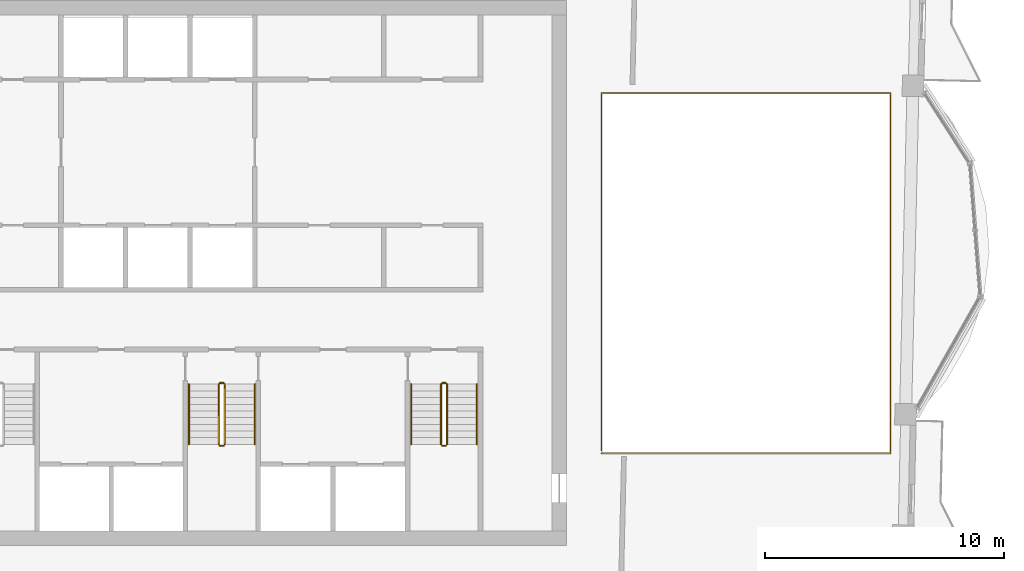
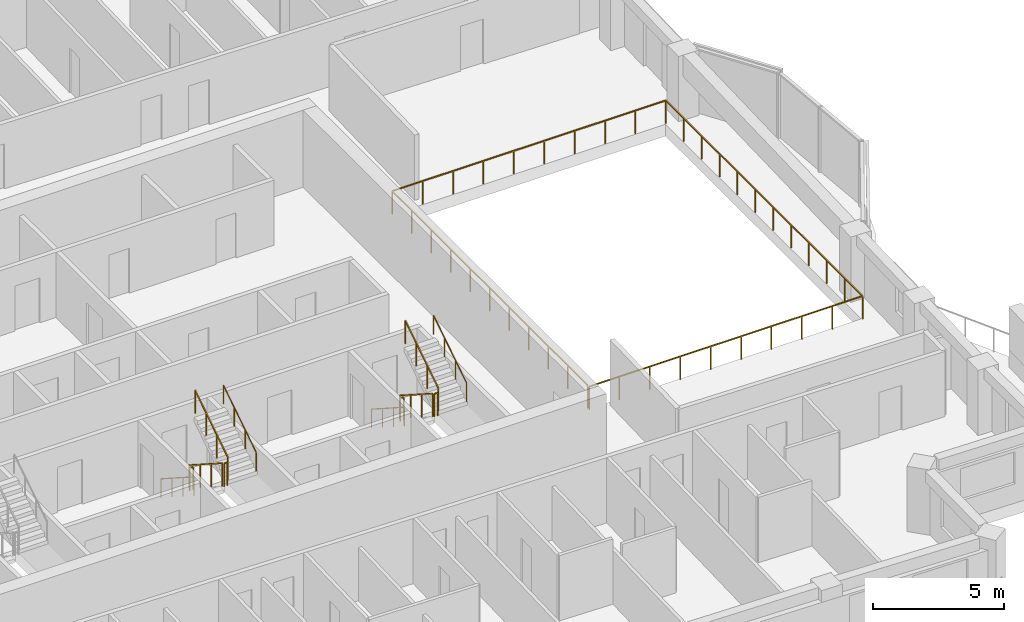
# One storey, part 14 of 15: 13 railings.
"""IFC4 building model written with IfcOpenShell, lengths in metres."""

from ifc_helpers import new_model, si_unit, direction, frame, origin, origin_2d, place, context, subcontext, project, spatial, rectangle, circle, extrude, material, type_object, element, save


model = new_model("IFC4")

# Units and contexts
model_context = context("Model", 3, precision=1e-05, world=origin(), true_north=direction((0.0, 1.0)))
body_context = subcontext(model_context, "Body", "Model", "MODEL_VIEW")
ifc_project = project(units=[si_unit("LENGTHUNIT", "METRE"), si_unit("AREAUNIT", "SQUARE_METRE"), si_unit("VOLUMEUNIT", "CUBIC_METRE"), si_unit("PLANEANGLEUNIT", "RADIAN"), si_unit("MASSUNIT", "GRAM", prefix="KILO")], contexts=[model_context])

# Site, building, storey
site_placement = place(None, origin())
site = spatial("IfcSite", under=ifc_project, at=site_placement, CompositionType="ELEMENT")
building_placement = place(site_placement, origin())
building = spatial("IfcBuilding", under=site, at=building_placement, Name="Mangrove Gate Tower", CompositionType="ELEMENT")
storey_placement = place(building_placement, frame((0.0, 0.0, 313.300048828125)))
storey = spatial("IfcBuildingStorey", under=building, at=storey_placement, Name="L80", CompositionType="ELEMENT", Elevation=313.300048828125)

# Railings
ifc_material_1 = material(Name="Stainless steel grade 316 with laminated glass infill", Category="steel")
railing_type_1 = type_object("IfcRailingType", Name="Balcony guard 1100", PredefinedType="GUARDRAIL", material=ifc_material_1)
railing_1_placement = place(storey_placement, frame((15.860107421875, -7.5400390625, 0.0)))
element("IfcRailing", 1, at=railing_1_placement, inside=storey, type_object=railing_type_1, Name="GUARD L80 atrium", PredefinedType="GUARDRAIL", context=body_context, shape_type="SweptSolid", body=[
    extrude(rectangle(XDim=0.048095703125, YDim=0.048095703125, at=origin_2d()), frame((0.0, 0.0, 1.076171875), z_axis=(1.0, 0.0, 0.0), x_axis=(0.0, 1.0, 0.0)), (0.0, 0.0, 1.0), 12.101806640625),
    extrude(rectangle(XDim=0.048095703125, YDim=0.048095703125, at=origin_2d()), frame((12.101806640625, 0.0, 1.076171875), z_axis=(0.0, 1.0, 0.0), x_axis=(-1.0, 0.0, 0.0)), (0.0, 0.0, 1.0), 15.080078125),
    extrude(rectangle(XDim=0.048095703125, YDim=0.048095703125, at=origin_2d()), frame((12.101806640625, 15.080078125, 1.076171875), z_axis=(-1.0, 0.0, 0.0), x_axis=(0.0, -1.0, 0.0)), (0.0, 0.0, 1.0), 12.101806640625),
    extrude(rectangle(XDim=0.048095703125, YDim=0.048095703125, at=origin_2d()), frame((0.0, 15.080078125, 1.076171875), z_axis=(0.0, -1.0, 0.0), x_axis=(1.0, 0.0, 0.0)), (0.0, 0.0, 1.0), 14.9599609375),
    extrude(rectangle(XDim=0.0419921875, YDim=0.0419921875, at=origin_2d()), origin(), (0.0, 0.0, 1.0), 1.052001953125),
    extrude(rectangle(XDim=0.0419921875, YDim=0.0419921875, at=origin_2d()), frame((1.3447265625, 0.0, 0.0)), (0.0, 0.0, 1.0), 1.052001953125),
    extrude(rectangle(XDim=0.0419921875, YDim=0.0419921875, at=origin_2d()), frame((2.689208984375, 0.0, 0.0)), (0.0, 0.0, 1.0), 1.052001953125),
    extrude(rectangle(XDim=0.0419921875, YDim=0.0419921875, at=origin_2d()), frame((4.033935546875, 0.0, 0.0)), (0.0, 0.0, 1.0), 1.052001953125),
    extrude(rectangle(XDim=0.0419921875, YDim=0.0419921875, at=origin_2d()), frame((5.378662109375, 0.0, 0.0)), (0.0, 0.0, 1.0), 1.052001953125),
    extrude(rectangle(XDim=0.0419921875, YDim=0.0419921875, at=origin_2d()), frame((6.72314453125, 0.0, 0.0)), (0.0, 0.0, 1.0), 1.052001953125),
    extrude(rectangle(XDim=0.0419921875, YDim=0.0419921875, at=origin_2d()), frame((8.06787109375, 0.0, 0.0)), (0.0, 0.0, 1.0), 1.052001953125),
    extrude(rectangle(XDim=0.0419921875, YDim=0.0419921875, at=origin_2d()), frame((9.41259765625, 0.0, 0.0)), (0.0, 0.0, 1.0), 1.052001953125),
    extrude(rectangle(XDim=0.0419921875, YDim=0.0419921875, at=origin_2d()), frame((10.757080078125, 0.0, 0.0)), (0.0, 0.0, 1.0), 1.052001953125),
    extrude(rectangle(XDim=0.0419921875, YDim=0.0419921875, at=origin_2d()), frame((12.101806640625, 0.0, 0.0)), (0.0, 0.0, 1.0), 1.052001953125),
    extrude(rectangle(XDim=0.0419921875, YDim=0.0419921875, at=origin_2d()), frame((12.101806640625, 1.370849609375, 0.0)), (0.0, 0.0, 1.0), 1.052001953125),
    extrude(rectangle(XDim=0.0419921875, YDim=0.0419921875, at=origin_2d()), frame((12.101806640625, 2.741943359375, 0.0)), (0.0, 0.0, 1.0), 1.052001953125),
    extrude(rectangle(XDim=0.0419921875, YDim=0.0419921875, at=origin_2d()), frame((12.101806640625, 4.11279296875, 0.0)), (0.0, 0.0, 1.0), 1.052001953125),
    extrude(rectangle(XDim=0.0419921875, YDim=0.0419921875, at=origin_2d()), frame((12.101806640625, 5.483642578125, 0.0)), (0.0, 0.0, 1.0), 1.052001953125),
    extrude(rectangle(XDim=0.0419921875, YDim=0.0419921875, at=origin_2d()), frame((12.101806640625, 6.8544921875, 0.0)), (0.0, 0.0, 1.0), 1.052001953125),
    extrude(rectangle(XDim=0.0419921875, YDim=0.0419921875, at=origin_2d()), frame((12.101806640625, 8.2255859375, 0.0)), (0.0, 0.0, 1.0), 1.052001953125),
    extrude(rectangle(XDim=0.0419921875, YDim=0.0419921875, at=origin_2d()), frame((12.101806640625, 9.596435546875, 0.0)), (0.0, 0.0, 1.0), 1.052001953125),
    extrude(rectangle(XDim=0.0419921875, YDim=0.0419921875, at=origin_2d()), frame((12.101806640625, 10.96728515625, 0.0)), (0.0, 0.0, 1.0), 1.052001953125),
    extrude(rectangle(XDim=0.0419921875, YDim=0.0419921875, at=origin_2d()), frame((12.101806640625, 12.338134765625, 0.0)), (0.0, 0.0, 1.0), 1.052001953125),
    extrude(rectangle(XDim=0.0419921875, YDim=0.0419921875, at=origin_2d()), frame((12.101806640625, 13.709228515625, 0.0)), (0.0, 0.0, 1.0), 1.052001953125),
    extrude(rectangle(XDim=0.0419921875, YDim=0.0419921875, at=origin_2d()), frame((12.101806640625, 15.080078125, 0.0)), (0.0, 0.0, 1.0), 1.052001953125),
    extrude(rectangle(XDim=0.0419921875, YDim=0.0419921875, at=origin_2d()), frame((10.757080078125, 15.080078125, 0.0)), (0.0, 0.0, 1.0), 1.052001953125),
    extrude(rectangle(XDim=0.0419921875, YDim=0.0419921875, at=origin_2d()), frame((9.41259765625, 15.080078125, 0.0)), (0.0, 0.0, 1.0), 1.052001953125),
    extrude(rectangle(XDim=0.0419921875, YDim=0.0419921875, at=origin_2d()), frame((8.06787109375, 15.080078125, 0.0)), (0.0, 0.0, 1.0), 1.052001953125),
    extrude(rectangle(XDim=0.0419921875, YDim=0.0419921875, at=origin_2d()), frame((6.72314453125, 15.080078125, 0.0)), (0.0, 0.0, 1.0), 1.052001953125),
    extrude(rectangle(XDim=0.0419921875, YDim=0.0419921875, at=origin_2d()), frame((5.378662109375, 15.080078125, 0.0)), (0.0, 0.0, 1.0), 1.052001953125),
    extrude(rectangle(XDim=0.0419921875, YDim=0.0419921875, at=origin_2d()), frame((4.033935546875, 15.080078125, 0.0)), (0.0, 0.0, 1.0), 1.052001953125),
    extrude(rectangle(XDim=0.0419921875, YDim=0.0419921875, at=origin_2d()), frame((2.689208984375, 15.080078125, 0.0)), (0.0, 0.0, 1.0), 1.052001953125),
    extrude(rectangle(XDim=0.0419921875, YDim=0.0419921875, at=origin_2d()), frame((1.3447265625, 15.080078125, 0.0)), (0.0, 0.0, 1.0), 1.052001953125),
    extrude(rectangle(XDim=0.0419921875, YDim=0.0419921875, at=origin_2d()), frame((0.0, 15.080078125, 0.0)), (0.0, 0.0, 1.0), 1.052001953125),
    extrude(rectangle(XDim=0.0419921875, YDim=0.0419921875, at=origin_2d()), frame((0.0, 13.583984375, 0.0)), (0.0, 0.0, 1.0), 1.052001953125),
    extrude(rectangle(XDim=0.0419921875, YDim=0.0419921875, at=origin_2d()), frame((0.0, 12.088134765625, 0.0)), (0.0, 0.0, 1.0), 1.052001953125),
    extrude(rectangle(XDim=0.0419921875, YDim=0.0419921875, at=origin_2d()), frame((0.0, 10.592041015625, 0.0)), (0.0, 0.0, 1.0), 1.052001953125),
    extrude(rectangle(XDim=0.0419921875, YDim=0.0419921875, at=origin_2d()), frame((0.0, 9.09619140625, 0.0)), (0.0, 0.0, 1.0), 1.052001953125),
    extrude(rectangle(XDim=0.0419921875, YDim=0.0419921875, at=origin_2d()), frame((0.0, 7.60009765625, 0.0)), (0.0, 0.0, 1.0), 1.052001953125),
    extrude(rectangle(XDim=0.0419921875, YDim=0.0419921875, at=origin_2d()), frame((0.0, 6.10400390625, 0.0)), (0.0, 0.0, 1.0), 1.052001953125),
    extrude(rectangle(XDim=0.0419921875, YDim=0.0419921875, at=origin_2d()), frame((0.0, 4.608154296875, 0.0)), (0.0, 0.0, 1.0), 1.052001953125),
    extrude(rectangle(XDim=0.0419921875, YDim=0.0419921875, at=origin_2d()), frame((0.0, 3.112060546875, 0.0)), (0.0, 0.0, 1.0), 1.052001953125),
    extrude(rectangle(XDim=0.0419921875, YDim=0.0419921875, at=origin_2d()), frame((0.0, 1.6162109375, 0.0)), (0.0, 0.0, 1.0), 1.052001953125),
    extrude(rectangle(XDim=0.0419921875, YDim=0.0419921875, at=origin_2d()), frame((0.0, 0.1201171875, 0.0)), (0.0, 0.0, 1.0), 1.052001953125),
])
ifc_material_2 = material(Name="Stainless steel 316", Category="steel")
railing_type_2 = type_object("IfcRailingType", Name="Core stair guard 1100", PredefinedType="GUARDRAIL", material=ifc_material_2)
railing_2_placement = place(storey_placement, frame((-0.14990234375, -4.64990234375, 0.179931640625)))
element("IfcRailing", 2, at=railing_2_placement, inside=storey, type_object=railing_type_2, Name="L80 ST2 stair guard 1", PredefinedType="GUARDRAIL", context=body_context, shape_type="SweptSolid", body=[
    extrude(rectangle(XDim=0.048095703125, YDim=0.048095703125, at=origin_2d()), frame((0.0, 0.0, 1.076171875), z_axis=(0.0, -0.841162588446, 0.540782303519), x_axis=(1.0, 0.0, 0.0)), (0.0, 0.0, 1.0), 2.995849609375),
    extrude(rectangle(XDim=0.0419921875, YDim=0.0419921875, at=origin_2d()), origin(), (0.0, 0.0, 1.0), 1.052001953125),
    extrude(rectangle(XDim=0.0419921875, YDim=0.0419921875, at=origin_2d()), frame((0.0, -0.840087890625, 0.5400390625)), (0.0, 0.0, 1.0), 1.052001953125),
    extrude(rectangle(XDim=0.0419921875, YDim=0.0419921875, at=origin_2d()), frame((0.0, -1.679931640625, 1.080078125)), (0.0, 0.0, 1.0), 1.052001953125),
    extrude(rectangle(XDim=0.0419921875, YDim=0.0419921875, at=origin_2d()), frame((0.0, -2.52001953125, 1.6201171875)), (0.0, 0.0, 1.0), 1.052001953125),
])
railing_3_placement = place(storey_placement, frame((-0.10009765625, -7.219970703125, 1.800048828125)))
element("IfcRailing", 3, at=railing_3_placement, inside=storey, type_object=railing_type_2, Name="L80 ST2 stair guard 2", PredefinedType="GUARDRAIL", context=body_context, shape_type="SweptSolid", body=[
    extrude(rectangle(XDim=0.048095703125, YDim=0.048095703125, at=origin_2d()), frame((0.0, 0.0, 1.076171875), z_axis=(1.0, 0.0, 0.0), x_axis=(0.0, 1.0, 0.0)), (0.0, 0.0, 1.0), 0.150146484375),
    extrude(rectangle(XDim=0.0419921875, YDim=0.0419921875, at=origin_2d()), origin(), (0.0, 0.0, 1.0), 1.052001953125),
    extrude(rectangle(XDim=0.0419921875, YDim=0.0419921875, at=origin_2d()), frame((0.150146484375, 0.0, 0.0)), (0.0, 0.0, 1.0), 1.052001953125),
])
railing_4_placement = place(storey_placement, frame((0.10009765625, -7.169921875, 1.97998046875)))
element("IfcRailing", 4, at=railing_4_placement, inside=storey, type_object=railing_type_2, Name="L80 ST2 stair guard 3", PredefinedType="GUARDRAIL", context=body_context, shape_type="SweptSolid", body=[
    extrude(rectangle(XDim=0.048095703125, YDim=0.048095703125, at=origin_2d()), frame((0.0, 0.0, 1.076171875), z_axis=(0.0, 0.841199657755, 0.540724639528), x_axis=(-1.0, 0.0, 0.0)), (0.0, 0.0, 1.0), 2.995849609375),
    extrude(rectangle(XDim=0.0419921875, YDim=0.0419921875, at=origin_2d()), origin(), (0.0, 0.0, 1.0), 1.052001953125),
    extrude(rectangle(XDim=0.0419921875, YDim=0.0419921875, at=origin_2d()), frame((0.0, 0.840087890625, 0.5400390625)), (0.0, 0.0, 1.0), 1.052001953125),
    extrude(rectangle(XDim=0.0419921875, YDim=0.0419921875, at=origin_2d()), frame((0.0, 1.679931640625, 1.079833984375)), (0.0, 0.0, 1.0), 1.052001953125),
    extrude(rectangle(XDim=0.0419921875, YDim=0.0419921875, at=origin_2d()), frame((0.0, 2.52001953125, 1.619873046875)), (0.0, 0.0, 1.0), 1.052001953125),
])
railing_5_placement = place(storey_placement, frame((-0.10009765625, -4.60009765625, 0.0)))
element("IfcRailing", 5, at=railing_5_placement, inside=storey, type_object=railing_type_2, Name="L80 ST2 stair guard 4", PredefinedType="GUARDRAIL", context=body_context, shape_type="SweptSolid", body=[
    extrude(rectangle(XDim=0.048095703125, YDim=0.048095703125, at=origin_2d()), frame((0.0, 0.0, 1.076171875), z_axis=(1.0, 0.0, 0.0), x_axis=(0.0, 1.0, 0.0)), (0.0, 0.0, 1.0), 0.150146484375),
    extrude(rectangle(XDim=0.0419921875, YDim=0.0419921875, at=origin_2d()), origin(), (0.0, 0.0, 1.0), 1.052001953125),
    extrude(rectangle(XDim=0.0419921875, YDim=0.0419921875, at=origin_2d()), frame((0.150146484375, 0.0, 0.0)), (0.0, 0.0, 1.0), 1.052001953125),
])
railing_6_placement = place(storey_placement, frame((9.14990234375, -4.64990234375, 0.179931640625)))
element("IfcRailing", 6, at=railing_6_placement, inside=storey, type_object=railing_type_2, Name="L80 ST3 stair guard 1", PredefinedType="GUARDRAIL", context=body_context, shape_type="SweptSolid", body=[
    extrude(rectangle(XDim=0.048095703125, YDim=0.048095703125, at=origin_2d()), frame((0.0, 0.0, 1.076171875), z_axis=(0.0, -0.841162588446, 0.540782303519), x_axis=(1.0, 0.0, 0.0)), (0.0, 0.0, 1.0), 2.995849609375),
    extrude(rectangle(XDim=0.0419921875, YDim=0.0419921875, at=origin_2d()), origin(), (0.0, 0.0, 1.0), 1.052001953125),
    extrude(rectangle(XDim=0.0419921875, YDim=0.0419921875, at=origin_2d()), frame((0.0, -0.840087890625, 0.5400390625)), (0.0, 0.0, 1.0), 1.052001953125),
    extrude(rectangle(XDim=0.0419921875, YDim=0.0419921875, at=origin_2d()), frame((0.0, -1.679931640625, 1.080078125)), (0.0, 0.0, 1.0), 1.052001953125),
    extrude(rectangle(XDim=0.0419921875, YDim=0.0419921875, at=origin_2d()), frame((0.0, -2.52001953125, 1.6201171875)), (0.0, 0.0, 1.0), 1.052001953125),
])
railing_7_placement = place(storey_placement, frame((9.199951171875, -7.219970703125, 1.800048828125)))
element("IfcRailing", 7, at=railing_7_placement, inside=storey, type_object=railing_type_2, Name="L80 ST3 stair guard 2", PredefinedType="GUARDRAIL", context=body_context, shape_type="SweptSolid", body=[
    extrude(rectangle(XDim=0.048095703125, YDim=0.048095703125, at=origin_2d()), frame((0.0, 0.0, 1.076171875), z_axis=(1.0, 0.0, 0.0), x_axis=(0.0, 1.0, 0.0)), (0.0, 0.0, 1.0), 0.150146484375),
    extrude(rectangle(XDim=0.0419921875, YDim=0.0419921875, at=origin_2d()), origin(), (0.0, 0.0, 1.0), 1.052001953125),
    extrude(rectangle(XDim=0.0419921875, YDim=0.0419921875, at=origin_2d()), frame((0.150146484375, 0.0, 0.0)), (0.0, 0.0, 1.0), 1.052001953125),
])
railing_8_placement = place(storey_placement, frame((9.39990234375, -7.169921875, 1.97998046875)))
element("IfcRailing", 8, at=railing_8_placement, inside=storey, type_object=railing_type_2, Name="L80 ST3 stair guard 3", PredefinedType="GUARDRAIL", context=body_context, shape_type="SweptSolid", body=[
    extrude(rectangle(XDim=0.048095703125, YDim=0.048095703125, at=origin_2d()), frame((0.0, 0.0, 1.076171875), z_axis=(0.0, 0.841199657755, 0.540724639528), x_axis=(-1.0, 0.0, 0.0)), (0.0, 0.0, 1.0), 2.995849609375),
    extrude(rectangle(XDim=0.0419921875, YDim=0.0419921875, at=origin_2d()), origin(), (0.0, 0.0, 1.0), 1.052001953125),
    extrude(rectangle(XDim=0.0419921875, YDim=0.0419921875, at=origin_2d()), frame((0.0, 0.840087890625, 0.5400390625)), (0.0, 0.0, 1.0), 1.052001953125),
    extrude(rectangle(XDim=0.0419921875, YDim=0.0419921875, at=origin_2d()), frame((0.0, 1.679931640625, 1.079833984375)), (0.0, 0.0, 1.0), 1.052001953125),
    extrude(rectangle(XDim=0.0419921875, YDim=0.0419921875, at=origin_2d()), frame((0.0, 2.52001953125, 1.619873046875)), (0.0, 0.0, 1.0), 1.052001953125),
])
railing_9_placement = place(storey_placement, frame((9.199951171875, -4.60009765625, 0.0)))
element("IfcRailing", 9, at=railing_9_placement, inside=storey, type_object=railing_type_2, Name="L80 ST3 stair guard 4", PredefinedType="GUARDRAIL", context=body_context, shape_type="SweptSolid", body=[
    extrude(rectangle(XDim=0.048095703125, YDim=0.048095703125, at=origin_2d()), frame((0.0, 0.0, 1.076171875), z_axis=(1.0, 0.0, 0.0), x_axis=(0.0, 1.0, 0.0)), (0.0, 0.0, 1.0), 0.150146484375),
    extrude(rectangle(XDim=0.0419921875, YDim=0.0419921875, at=origin_2d()), origin(), (0.0, 0.0, 1.0), 1.052001953125),
    extrude(rectangle(XDim=0.0419921875, YDim=0.0419921875, at=origin_2d()), frame((0.150146484375, 0.0, 0.0)), (0.0, 0.0, 1.0), 1.052001953125),
])
ifc_material_3 = material(Name="Stainless steel 316", Category="steel")
railing_type_3 = type_object("IfcRailingType", Name="Core stair handrail 900", PredefinedType="HANDRAIL", material=ifc_material_3)
railing_10_placement = place(storey_placement, frame((-1.39990234375, -4.64990234375, 0.179931640625)))
element("IfcRailing", 10, at=railing_10_placement, inside=storey, type_object=railing_type_3, Name="L80 ST2 stair handrail 1", PredefinedType="HANDRAIL", context=body_context, shape_type="SweptSolid", body=[
    extrude(circle(Radius=0.02392578125, at=origin_2d()), frame((0.0, 0.0, 0.8759765625), z_axis=(0.0, -0.841162588446, 0.540782303519), x_axis=(1.0, 0.0, 0.0)), (0.0, 0.0, 1.0), 2.995849609375),
    extrude(circle(Radius=0.02099609375, at=origin_2d()), origin(), (0.0, 0.0, 1.0), 0.851806640625),
    extrude(circle(Radius=0.02099609375, at=origin_2d()), frame((0.0, -0.840087890625, 0.5400390625)), (0.0, 0.0, 1.0), 0.851806640625),
    extrude(circle(Radius=0.02099609375, at=origin_2d()), frame((0.0, -1.679931640625, 1.080078125)), (0.0, 0.0, 1.0), 0.851806640625),
    extrude(circle(Radius=0.02099609375, at=origin_2d()), frame((0.0, -2.52001953125, 1.6201171875)), (0.0, 0.0, 1.0), 0.851806640625),
])
railing_11_placement = place(storey_placement, frame((1.35009765625, -7.169921875, 1.97998046875)))
element("IfcRailing", 11, at=railing_11_placement, inside=storey, type_object=railing_type_3, Name="L80 ST2 stair handrail 2", PredefinedType="HANDRAIL", context=body_context, shape_type="SweptSolid", body=[
    extrude(circle(Radius=0.02392578125, at=origin_2d()), frame((0.0, 0.0, 0.8759765625), z_axis=(0.0, 0.841199657755, 0.540724639528), x_axis=(-1.0, 0.0, 0.0)), (0.0, 0.0, 1.0), 2.995849609375),
    extrude(circle(Radius=0.02099609375, at=origin_2d()), origin(), (0.0, 0.0, 1.0), 0.851806640625),
    extrude(circle(Radius=0.02099609375, at=origin_2d()), frame((0.0, 0.840087890625, 0.5400390625)), (0.0, 0.0, 1.0), 0.851806640625),
    extrude(circle(Radius=0.02099609375, at=origin_2d()), frame((0.0, 1.679931640625, 1.079833984375)), (0.0, 0.0, 1.0), 0.851806640625),
    extrude(circle(Radius=0.02099609375, at=origin_2d()), frame((0.0, 2.52001953125, 1.619873046875)), (0.0, 0.0, 1.0), 0.851806640625),
])
railing_12_placement = place(storey_placement, frame((7.89990234375, -4.64990234375, 0.179931640625)))
element("IfcRailing", 12, at=railing_12_placement, inside=storey, type_object=railing_type_3, Name="L80 ST3 stair handrail 1", PredefinedType="HANDRAIL", context=body_context, shape_type="SweptSolid", body=[
    extrude(circle(Radius=0.02392578125, at=origin_2d()), frame((0.0, 0.0, 0.8759765625), z_axis=(0.0, -0.841162588446, 0.540782303519), x_axis=(1.0, 0.0, 0.0)), (0.0, 0.0, 1.0), 2.995849609375),
    extrude(circle(Radius=0.02099609375, at=origin_2d()), origin(), (0.0, 0.0, 1.0), 0.851806640625),
    extrude(circle(Radius=0.02099609375, at=origin_2d()), frame((0.0, -0.840087890625, 0.5400390625)), (0.0, 0.0, 1.0), 0.851806640625),
    extrude(circle(Radius=0.02099609375, at=origin_2d()), frame((0.0, -1.679931640625, 1.080078125)), (0.0, 0.0, 1.0), 0.851806640625),
    extrude(circle(Radius=0.02099609375, at=origin_2d()), frame((0.0, -2.52001953125, 1.6201171875)), (0.0, 0.0, 1.0), 0.851806640625),
])
railing_13_placement = place(storey_placement, frame((10.64990234375, -7.169921875, 1.97998046875)))
element("IfcRailing", 13, at=railing_13_placement, inside=storey, type_object=railing_type_3, Name="L80 ST3 stair handrail 2", PredefinedType="HANDRAIL", context=body_context, shape_type="SweptSolid", body=[
    extrude(circle(Radius=0.02392578125, at=origin_2d()), frame((0.0, 0.0, 0.8759765625), z_axis=(0.0, 0.841199657755, 0.540724639528), x_axis=(-1.0, 0.0, 0.0)), (0.0, 0.0, 1.0), 2.995849609375),
    extrude(circle(Radius=0.02099609375, at=origin_2d()), origin(), (0.0, 0.0, 1.0), 0.851806640625),
    extrude(circle(Radius=0.02099609375, at=origin_2d()), frame((0.0, 0.840087890625, 0.5400390625)), (0.0, 0.0, 1.0), 0.851806640625),
    extrude(circle(Radius=0.02099609375, at=origin_2d()), frame((0.0, 1.679931640625, 1.079833984375)), (0.0, 0.0, 1.0), 0.851806640625),
    extrude(circle(Radius=0.02099609375, at=origin_2d()), frame((0.0, 2.52001953125, 1.619873046875)), (0.0, 0.0, 1.0), 0.851806640625),
])

save(model, "model.ifc")
